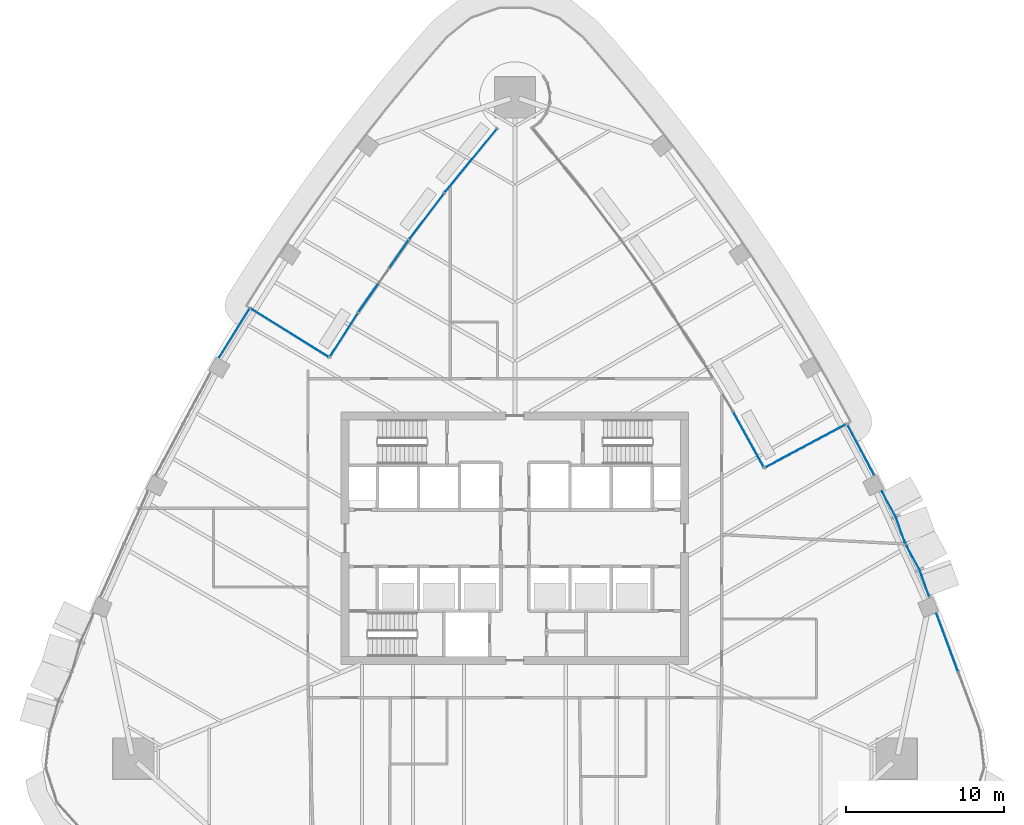
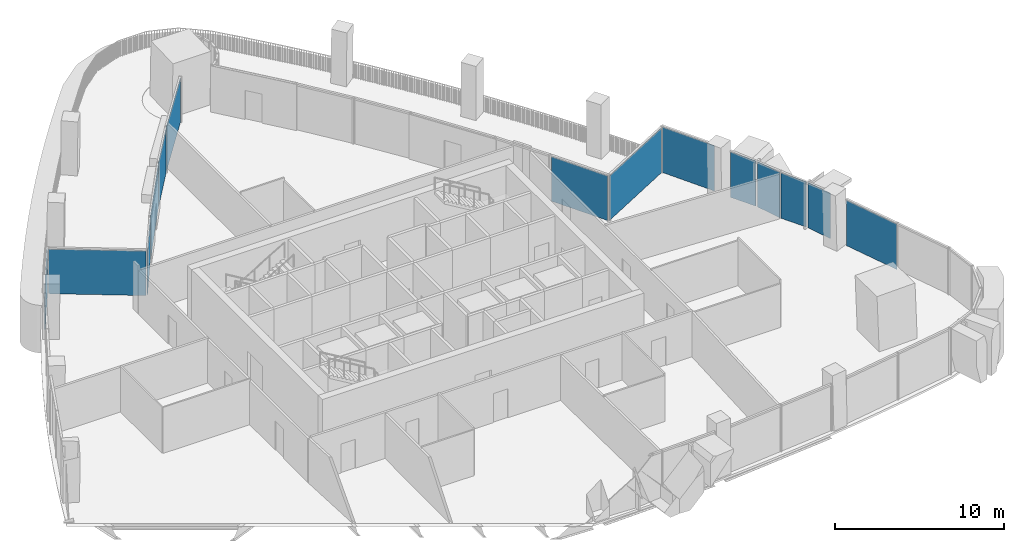
# One storey, part 9 of 21: 14 plates, 11 elements without a shape of their own.
"""IFC4 building model written with IfcOpenShell, lengths in metres."""

from ifc_helpers import new_model, si_unit, direction, frame, origin, origin_2d, place, context, subcontext, project, spatial, polyline, rectangle, outline, extrude, material, layer, layer_set, type_object, element, aggregate, save


model = new_model("IFC4")

# Units and contexts
model_context = context("Model", 3, precision=1e-05, world=origin(), true_north=direction((0.0, 1.0)))
body_context = subcontext(model_context, "Body", "Model", "MODEL_VIEW")
ifc_project = project(units=[si_unit("LENGTHUNIT", "METRE"), si_unit("AREAUNIT", "SQUARE_METRE"), si_unit("VOLUMEUNIT", "CUBIC_METRE"), si_unit("PLANEANGLEUNIT", "RADIAN"), si_unit("MASSUNIT", "GRAM", prefix="KILO")], contexts=[model_context])

# Site, building, storey
site_placement = place(None, origin())
site = spatial("IfcSite", under=ifc_project, at=site_placement, CompositionType="ELEMENT")
building_placement = place(site_placement, origin())
building = spatial("IfcBuilding", under=site, at=building_placement, Name="Sierra Prisma Convention Tower", CompositionType="ELEMENT")
storey_placement = place(building_placement, frame((0.0, 0.0, 157.800048828125)))
storey = spatial("IfcBuildingStorey", under=building, at=storey_placement, Name="L34", CompositionType="ELEMENT", Elevation=157.800048828125)

# Curtain wall, plate
ifc_material_1 = material(Name="Aluminium and glass curtain wall", Category="aluminium")
ifc_layer_1 = layer(ifc_material_1, 0.179931640625)
ifc_layer_set_1 = layer_set([ifc_layer_1], Name="CW-1 Plain shaft curtain wall")
curtain_wall_type_1 = type_object("IfcCurtainWallType", Name="CW-1 Plain shaft curtain wall", PredefinedType="NOTDEFINED", material=ifc_layer_set_1)
curtain_wall_1_placement = place(storey_placement, origin())
curtain_wall_1 = element("IfcCurtainWall", 1, at=curtain_wall_1_placement, inside=storey, type_object=curtain_wall_type_1, Name="CW-1 NW3b L34", PredefinedType="NOTDEFINED")
ifc_material_2 = material(Name="Tinted glass bronze-grey IGU", Category="glass")
ifc_layer_2 = layer(ifc_material_2, 0.028076171875)
ifc_layer_set_2 = layer_set([ifc_layer_2], Name="CW-1 glass panel")
plate_type_1 = type_object("IfcPlateType", Name="CW-1 glass panel", PredefinedType="CURTAIN_PANEL", material=ifc_layer_set_2)
plate_1_placement = place(storey_placement, frame((-17.773193359375, 12.996337890625, 0.0), z_axis=(0.0, 0.0, 1.0), x_axis=(-0.528846514129, -0.848717482142, 0.0)))
plate_1 = element("IfcPlate", 2, at=plate_1_placement, type_object=plate_type_1, Name="CW-1 panel NW3b.1", PredefinedType="CURTAIN_PANEL", context=body_context, shape_type="SweptSolid", body=[
    extrude(rectangle(XDim=3.599853515625, YDim=0.028076171875, at=origin_2d()), origin(), (0.0, 0.0, 1.0), 3.280029296875),
])
aggregate(curtain_wall_1, [plate_1])

curtain_wall_2_placement = place(storey_placement, origin())
curtain_wall_2 = element("IfcCurtainWall", 3, at=curtain_wall_2_placement, inside=storey, type_object=curtain_wall_type_1, Name="CW-1 NE1 L34", PredefinedType="NOTDEFINED")
plate_2_placement = place(storey_placement, frame((27.3818359375, -6.611328125, 0.0), z_axis=(0.0, 0.0, 1.0), x_axis=(-0.347954308192, 0.937511492949, 0.0)))
plate_2 = element("IfcPlate", 4, at=plate_2_placement, type_object=plate_type_1, Name="CW-1 panel NE1.2", PredefinedType="CURTAIN_PANEL", context=body_context, shape_type="SweptSolid", body=[
    extrude(rectangle(XDim=3.89111328125, YDim=0.028076171875, at=origin_2d()), origin(), (0.0, 0.0, 1.0), 3.280029296875),
])
aggregate(curtain_wall_2, [plate_2])

curtain_wall_3_placement = place(storey_placement, origin())
curtain_wall_3 = element("IfcCurtainWall", 5, at=curtain_wall_3_placement, inside=storey, type_object=curtain_wall_type_1, Name="CW-1 NE3 L34", PredefinedType="NOTDEFINED")
plate_3_placement = place(storey_placement, frame((21.90185546875, 5.593994140625, 0.0), z_axis=(0.0, 0.0, 1.0), x_axis=(-0.470587643106, 0.88235325701, 0.0)))
plate_3 = element("IfcPlate", 6, at=plate_3_placement, type_object=plate_type_1, Name="CW-1 panel NE3.1", PredefinedType="CURTAIN_PANEL", context=body_context, shape_type="SweptSolid", body=[
    extrude(rectangle(XDim=3.599853515625, YDim=0.028076171875, at=origin_2d()), origin(), (0.0, 0.0, 1.0), 3.280029296875),
])
aggregate(curtain_wall_3, [plate_3])

# Curtain wall, plates
ifc_material_3 = material(Name="Aluminium and glass curtain wall", Category="aluminium")
ifc_layer_3 = layer(ifc_material_3, 0.179931640625)
ifc_layer_set_3 = layer_set([ifc_layer_3], Name="CW-2 Faceted crystal curtain wall")
curtain_wall_type_2 = type_object("IfcCurtainWallType", Name="CW-2 Faceted crystal curtain wall", PredefinedType="NOTDEFINED", material=ifc_layer_set_3)
curtain_wall_4_placement = place(storey_placement, origin())
curtain_wall_4 = element("IfcCurtainWall", 7, at=curtain_wall_4_placement, inside=storey, type_object=curtain_wall_type_2, Name="CW-2 NE2 L34", PredefinedType="NOTDEFINED")
ifc_material_4 = material(Name="Tinted glass bronze-grey IGU", Category="glass")
ifc_layer_4 = layer(ifc_material_4, 0.028076171875)
ifc_layer_set_4 = layer_set([ifc_layer_4], Name="CW-2 crystal pane")
plate_type_2 = type_object("IfcPlateType", Name="CW-2 crystal pane", PredefinedType="CURTAIN_PANEL", material=ifc_layer_set_4)
plate_4_placement = place(storey_placement, frame((26.25439453125, -3.692626953125, 0.0), z_axis=(0.941343584673, 0.337449634162, 0.0), x_axis=(-0.337449634162, 0.941343584673, 0.0)))
plate_4 = element("IfcPlate", 8, at=plate_4_placement, type_object=plate_type_2, Name="CW-2 pane NE2.1.1", PredefinedType="CURTAIN_PANEL", context=body_context, shape_type="SweptSolid", body=[
    extrude(outline(polyline([(0.0, 0.0), (1.7501164976580583, 0.0), (1.7501164976580583, 3.280029296875), (0.0, 3.280029296875), (0.0, 0.0)])), origin(), (0.0, 0.0, -1.0), 0.028076171875),
])
plate_5_placement = place(storey_placement, frame((24.77001953125, -0.39208984375, 0.0), z_axis=(0.877030494915, 0.480434710432, 0.0), x_axis=(0.480434710432, -0.877030494915, 0.0)))
plate_5 = element("IfcPlate", 9, at=plate_5_placement, type_object=plate_type_2, Name="CW-2 pane NE2.1.2", PredefinedType="CURTAIN_PANEL", context=body_context, shape_type="SweptSolid", body=[
    extrude(outline(polyline([(0.0, 0.0), (1.750123990298576, 0.0), (1.750123990298576, -3.280029296875), (0.0, -3.280029296875), (0.0, 0.0)])), origin(), (0.0, 0.0, -1.0), 0.028076171875),
])
plate_6_placement = place(storey_placement, frame((24.7412109375, -0.328369140625, 0.0), z_axis=(0.941387891546, 0.33732601093, 0.0), x_axis=(-0.33732601093, 0.941387891546, 0.0)))
plate_6 = element("IfcPlate", 10, at=plate_6_placement, type_object=plate_type_2, Name="CW-2 pane NE2.2.1", PredefinedType="CURTAIN_PANEL", context=body_context, shape_type="SweptSolid", body=[
    extrude(outline(polyline([(0.0, 0.0), (1.7500341275838394, 0.0), (1.7500341275838394, 3.280029296875), (0.0, 3.280029296875), (0.0, 0.0)])), origin(), (0.0, 0.0, -1.0), 0.028076171875),
])
plate_7_placement = place(storey_placement, frame((23.2568359375, 2.971923828125, 0.0), z_axis=(0.876998290183, 0.48049349529, 0.0), x_axis=(0.48049349529, -0.876998290183, 0.0)))
plate_7 = element("IfcPlate", 11, at=plate_7_placement, type_object=plate_type_2, Name="CW-2 pane NE2.2.2", PredefinedType="CURTAIN_PANEL", context=body_context, shape_type="SweptSolid", body=[
    extrude(outline(polyline([(0.0, 0.0), (1.7499098754564046, 0.0), (1.7499098754564046, -3.280029296875), (0.0, -3.280029296875), (0.0, 0.0)])), origin(), (0.0, 0.0, -1.0), 0.028076171875),
])
aggregate(curtain_wall_4, [plate_4, plate_5, plate_6, plate_7])

# Curtain wall, plate
ifc_material_5 = material(Name="Aluminium and glass curtain wall", Category="aluminium")
ifc_layer_5 = layer(ifc_material_5, 0.179931640625)
ifc_layer_set_5 = layer_set([ifc_layer_5], Name="CW-6 Terrace recess curtain wall")
curtain_wall_type_3 = type_object("IfcCurtainWallType", Name="CW-6 Terrace recess curtain wall", PredefinedType="NOTDEFINED", material=ifc_layer_set_5)
curtain_wall_5_placement = place(storey_placement, origin())
curtain_wall_5 = element("IfcCurtainWall", 12, at=curtain_wall_5_placement, inside=storey, type_object=curtain_wall_type_3, Name="CW-6 R1 L34", PredefinedType="NOTDEFINED")
ifc_material_6 = material(Name="Tinted glass bronze-grey IGU", Category="glass")
ifc_layer_6 = layer(ifc_material_6, 0.028076171875)
ifc_layer_set_6 = layer_set([ifc_layer_6], Name="CW-6 glass panel")
plate_type_3 = type_object("IfcPlateType", Name="CW-6 glass panel", PredefinedType="CURTAIN_PANEL", material=ifc_layer_set_6)
plate_8_placement = place(storey_placement, frame((14.80859375, 6.218505859375, 0.0), z_axis=(0.0, 0.0, 1.0), x_axis=(-0.484443618617, 0.874822485069, 0.0)))
plate_8 = element("IfcPlate", 13, at=plate_8_placement, type_object=plate_type_3, Name="CW-6 panel R1.1", PredefinedType="CURTAIN_PANEL", context=body_context, shape_type="SweptSolid", body=[
    extrude(rectangle(XDim=3.898681640625, YDim=0.028076171875, at=origin_2d()), origin(), (0.0, 0.0, 1.0), 3.219970703125),
])
aggregate(curtain_wall_5, [plate_8])

curtain_wall_6_placement = place(storey_placement, origin())
curtain_wall_6 = element("IfcCurtainWall", 14, at=curtain_wall_6_placement, inside=storey, type_object=curtain_wall_type_3, Name="CW-6 R31 L34", PredefinedType="NOTDEFINED")
plate_9_placement = place(storey_placement, frame((-2.769287109375, 23.946533203125, 0.0), z_axis=(0.0, 0.0, 1.0), x_axis=(-0.633210722259, -0.773979444957, 0.0)))
plate_9 = element("IfcPlate", 15, at=plate_9_placement, type_object=plate_type_3, Name="CW-6 panel R31.1", PredefinedType="CURTAIN_PANEL", context=body_context, shape_type="SweptSolid", body=[
    extrude(rectangle(XDim=5.140869140625, YDim=0.028076171875, at=origin_2d()), origin(), (0.0, 0.0, 1.0), 3.219970703125),
])
aggregate(curtain_wall_6, [plate_9])

curtain_wall_7_placement = place(storey_placement, origin())
curtain_wall_7 = element("IfcCurtainWall", 16, at=curtain_wall_7_placement, inside=storey, type_object=curtain_wall_type_3, Name="CW-6 R32 L34", PredefinedType="NOTDEFINED")
plate_10_placement = place(storey_placement, frame((-5.56787109375, 20.414306640625, 0.0), z_axis=(0.0, 0.0, 1.0), x_axis=(-0.603446185925, -0.79740372503, 0.0)))
plate_10 = element("IfcPlate", 17, at=plate_10_placement, type_object=plate_type_3, Name="CW-6 panel R32.1", PredefinedType="CURTAIN_PANEL", context=body_context, shape_type="SweptSolid", body=[
    extrude(rectangle(XDim=3.59375, YDim=0.028076171875, at=origin_2d()), origin(), (0.0, 0.0, 1.0), 3.219970703125),
])
aggregate(curtain_wall_7, [plate_10])

curtain_wall_8_placement = place(storey_placement, origin())
curtain_wall_8 = element("IfcCurtainWall", 18, at=curtain_wall_8_placement, inside=storey, type_object=curtain_wall_type_3, Name="CW-6 R33 L34", PredefinedType="NOTDEFINED")
plate_11_placement = place(storey_placement, frame((-8.296142578125, 16.62890625, 0.0), z_axis=(0.0, 0.0, 1.0), x_axis=(-0.572045889081, -0.820221616873, 0.0)))
plate_11 = element("IfcPlate", 19, at=plate_11_placement, type_object=plate_type_3, Name="CW-6 panel R33.1", PredefinedType="CURTAIN_PANEL", context=body_context, shape_type="SweptSolid", body=[
    extrude(rectangle(XDim=5.46044921875, YDim=0.028076171875, at=origin_2d()), origin(), (0.0, 0.0, 1.0), 3.219970703125),
])
aggregate(curtain_wall_8, [plate_11])

curtain_wall_9_placement = place(storey_placement, origin())
curtain_wall_9 = element("IfcCurtainWall", 20, at=curtain_wall_9_placement, inside=storey, type_object=curtain_wall_type_3, Name="CW-6 R34 L34", PredefinedType="NOTDEFINED")
plate_12_placement = place(storey_placement, frame((-10.824462890625, 12.8896484375, 0.0), z_axis=(0.0, 0.0, 1.0), x_axis=(-0.540364644224, -0.841430954549, 0.0)))
plate_12 = element("IfcPlate", 21, at=plate_12_placement, type_object=plate_type_3, Name="CW-6 panel R34.1", PredefinedType="CURTAIN_PANEL", context=body_context, shape_type="SweptSolid", body=[
    extrude(rectangle(XDim=3.288818359375, YDim=0.028076171875, at=origin_2d()), origin(), (0.0, 0.0, 1.0), 3.219970703125),
])
aggregate(curtain_wall_9, [plate_12])

curtain_wall_10_placement = place(storey_placement, origin())
curtain_wall_10 = element("IfcCurtainWall", 22, at=curtain_wall_10_placement, inside=storey, type_object=curtain_wall_type_3, Name="CW-6 RT1 L34", PredefinedType="NOTDEFINED")
plate_13_placement = place(storey_placement, frame((18.404296875, 5.847900390625, 0.0), z_axis=(0.0, 0.0, 1.0), x_axis=(-0.88235325701, -0.470587643106, 0.0)))
plate_13 = element("IfcPlate", 23, at=plate_13_placement, type_object=plate_type_3, Name="CW-6 panel RT1.1", PredefinedType="CURTAIN_PANEL", context=body_context, shape_type="SweptSolid", body=[
    extrude(rectangle(XDim=5.793212890625, YDim=0.028076171875, at=origin_2d()), origin(), (0.0, 0.0, 1.0), 3.219970703125),
])
aggregate(curtain_wall_10, [plate_13])

curtain_wall_11_placement = place(storey_placement, origin())
curtain_wall_11 = element("IfcCurtainWall", 24, at=curtain_wall_11_placement, inside=storey, type_object=curtain_wall_type_3, Name="CW-6 RT2 L34", PredefinedType="NOTDEFINED")
plate_14_placement = place(storey_placement, frame((-14.267578125, 13.01513671875, 0.0), z_axis=(0.0, 0.0, 1.0), x_axis=(-0.848717482142, 0.528846514129, 0.0)))
plate_14 = element("IfcPlate", 25, at=plate_14_placement, type_object=plate_type_3, Name="CW-6 panel RT2.1", PredefinedType="CURTAIN_PANEL", context=body_context, shape_type="SweptSolid", body=[
    extrude(rectangle(XDim=5.790771484375, YDim=0.028076171875, at=origin_2d()), origin(), (0.0, 0.0, 1.0), 3.219970703125),
])
aggregate(curtain_wall_11, [plate_14])

save(model, "model.ifc")
